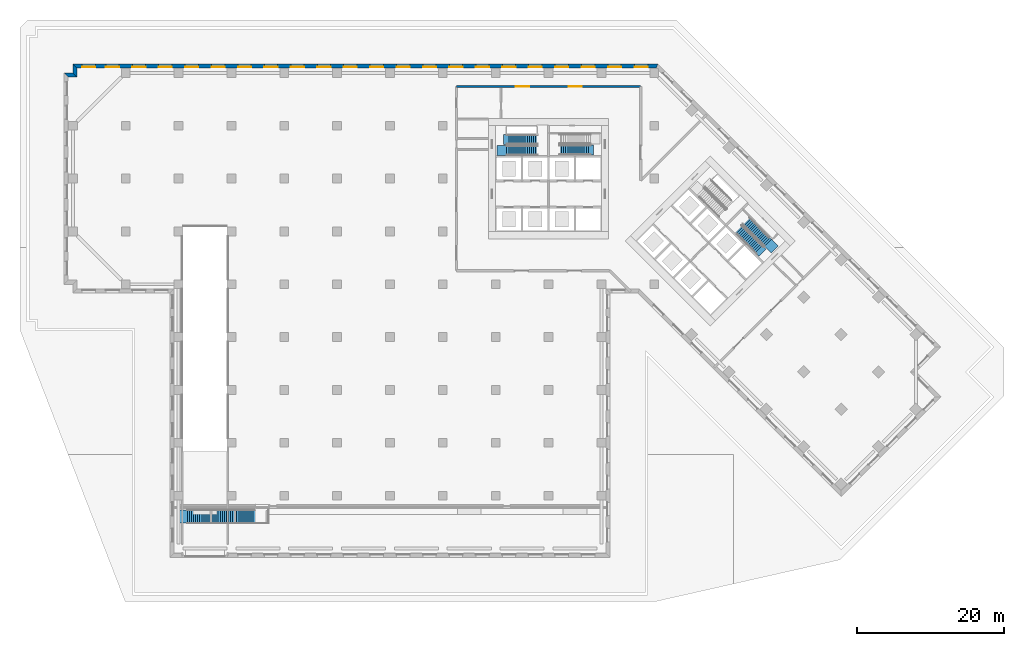
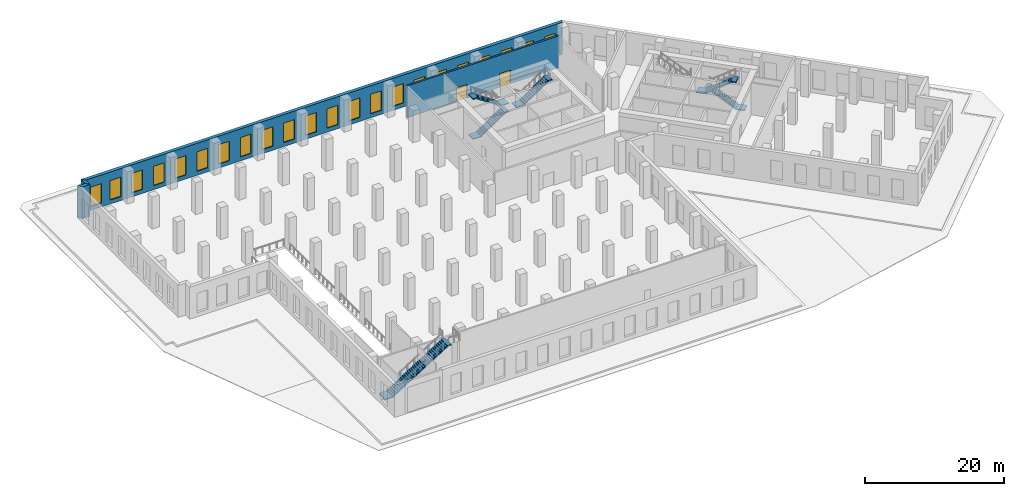
# One storey, part 9 of 15: 22 windows, 6 stair flights, 4 walls, 2 doors, 24 openings, 4 elements without a shape of their own.
"""IFC4 building model written with IfcOpenShell, lengths in metres."""

from ifc_helpers import new_model, si_unit, direction, frame, frame_2d, origin, place, context, subcontext, project, spatial, polyline, rectangle, outline, extrude, material, layer, layer_set, type_object, element, fill, aggregate, save


model = new_model("IFC4")

# Units and contexts
model_context = context("Model", 3, precision=1e-05, world=origin(), true_north=direction((0.0, 1.0)))
body_context = subcontext(model_context, "Body", "Model", "MODEL_VIEW")
ifc_project = project(units=[si_unit("LENGTHUNIT", "METRE"), si_unit("AREAUNIT", "SQUARE_METRE"), si_unit("VOLUMEUNIT", "CUBIC_METRE"), si_unit("PLANEANGLEUNIT", "RADIAN"), si_unit("MASSUNIT", "GRAM", prefix="KILO")], contexts=[model_context])

# Site, building, storey
site_placement = place(None, origin())
site = spatial("IfcSite", under=ifc_project, at=site_placement, CompositionType="ELEMENT")
building_placement = place(site_placement, origin())
building = spatial("IfcBuilding", under=site, at=building_placement, Name="Windrow Commons", CompositionType="ELEMENT")
storey_placement = place(building_placement, origin())
storey = spatial("IfcBuildingStorey", under=building, at=storey_placement, Name="L00", CompositionType="ELEMENT", Elevation=0.0)

# Wall, openings, windows
ifc_material_1 = material(Name="Brick masonry, red clay brick", Category="masonry")
ifc_layer_1 = layer(ifc_material_1, 0.55)
ifc_layer_set_1 = layer_set([ifc_layer_1], Name="Brick facade wall 550")
wall_type_1 = type_object("IfcWallType", Name="Brick facade wall 550", PredefinedType="SOLIDWALL", material=ifc_layer_set_1)
wall_1_placement = place(storey_placement, frame((79.5832, 72.925, 0.0), z_axis=(0.0, 0.0, 1.0), x_axis=(-1.0, 0.0, 0.0)))
wall_1 = element("IfcWall", 1, at=wall_1_placement, inside=storey, type_object=wall_type_1, Name="Brick facade wall L00 5", PredefinedType="SOLIDWALL", context=body_context, shape_type="SweptSolid", body=[
    extrude(outline(polyline([(-0.1139, -0.275), (79.5832, -0.275), (79.0332, 0.275), (0.1139, 0.275), (-0.1139, -0.275)])), origin(), (0.0, 0.0, 1.0), 5.6),
])
opening_1_placement = place(wall_1_placement, frame((1.2486, 0.0, 0.7)))
opening_1 = element("IfcOpeningElement", 2, at=opening_1_placement, cuts=wall_1, Name="Opening W3", PredefinedType="OPENING", context=body_context, shape_type="SweptSolid", body=[
    extrude(rectangle(XDim=1.8, YDim=3.4, at=frame_2d((0.9, 1.7))), frame((0.0, 0.285, 0.0), z_axis=(0.0, -1.0, 0.0), x_axis=(1.0, 0.0, 0.0)), (0.0, 0.0, 1.0), 0.57),
])
opening_2_placement = place(wall_1_placement, frame((4.8832, 0.0, 0.7)))
opening_2 = element("IfcOpeningElement", 3, at=opening_2_placement, cuts=wall_1, Name="Opening W3", PredefinedType="OPENING", context=body_context, shape_type="SweptSolid", body=[
    extrude(rectangle(XDim=1.8, YDim=3.4, at=frame_2d((0.9, 1.7))), frame((0.0, 0.285, 0.0), z_axis=(0.0, -1.0, 0.0), x_axis=(1.0, 0.0, 0.0)), (0.0, 0.0, 1.0), 0.57),
])
opening_3_placement = place(wall_1_placement, frame((8.4832, 0.0, 0.7)))
opening_3 = element("IfcOpeningElement", 4, at=opening_3_placement, cuts=wall_1, Name="Opening W3", PredefinedType="OPENING", context=body_context, shape_type="SweptSolid", body=[
    extrude(rectangle(XDim=1.8, YDim=3.4, at=frame_2d((0.9, 1.7))), frame((0.0, 0.285, 0.0), z_axis=(0.0, -1.0, 0.0), x_axis=(1.0, 0.0, 0.0)), (0.0, 0.0, 1.0), 0.57),
])
opening_4_placement = place(wall_1_placement, frame((12.0832, 0.0, 0.7)))
opening_4 = element("IfcOpeningElement", 5, at=opening_4_placement, cuts=wall_1, Name="Opening W3", PredefinedType="OPENING", context=body_context, shape_type="SweptSolid", body=[
    extrude(rectangle(XDim=1.8, YDim=3.4, at=frame_2d((0.9, 1.7))), frame((0.0, 0.285, 0.0), z_axis=(0.0, -1.0, 0.0), x_axis=(1.0, 0.0, 0.0)), (0.0, 0.0, 1.0), 0.57),
])
opening_5_placement = place(wall_1_placement, frame((15.6832, 0.0, 0.7)))
opening_5 = element("IfcOpeningElement", 6, at=opening_5_placement, cuts=wall_1, Name="Opening W3", PredefinedType="OPENING", context=body_context, shape_type="SweptSolid", body=[
    extrude(rectangle(XDim=1.8, YDim=3.4, at=frame_2d((0.9, 1.7))), frame((0.0, 0.285, 0.0), z_axis=(0.0, -1.0, 0.0), x_axis=(1.0, 0.0, 0.0)), (0.0, 0.0, 1.0), 0.57),
])
opening_6_placement = place(wall_1_placement, frame((19.2832, 0.0, 0.7)))
opening_6 = element("IfcOpeningElement", 7, at=opening_6_placement, cuts=wall_1, Name="Opening W3", PredefinedType="OPENING", context=body_context, shape_type="SweptSolid", body=[
    extrude(rectangle(XDim=1.8, YDim=3.4, at=frame_2d((0.9, 1.7))), frame((0.0, 0.285, 0.0), z_axis=(0.0, -1.0, 0.0), x_axis=(1.0, 0.0, 0.0)), (0.0, 0.0, 1.0), 0.57),
])
opening_7_placement = place(wall_1_placement, frame((22.8832, 0.0, 0.7)))
opening_7 = element("IfcOpeningElement", 8, at=opening_7_placement, cuts=wall_1, Name="Opening W3", PredefinedType="OPENING", context=body_context, shape_type="SweptSolid", body=[
    extrude(rectangle(XDim=1.8, YDim=3.4, at=frame_2d((0.9, 1.7))), frame((0.0, 0.285, 0.0), z_axis=(0.0, -1.0, 0.0), x_axis=(1.0, 0.0, 0.0)), (0.0, 0.0, 1.0), 0.57),
])
opening_8_placement = place(wall_1_placement, frame((26.4832, 0.0, 0.7)))
opening_8 = element("IfcOpeningElement", 9, at=opening_8_placement, cuts=wall_1, Name="Opening W3", PredefinedType="OPENING", context=body_context, shape_type="SweptSolid", body=[
    extrude(rectangle(XDim=1.8, YDim=3.4, at=frame_2d((0.9, 1.7))), frame((0.0, 0.285, 0.0), z_axis=(0.0, -1.0, 0.0), x_axis=(1.0, 0.0, 0.0)), (0.0, 0.0, 1.0), 0.57),
])
opening_9_placement = place(wall_1_placement, frame((30.0832, 0.0, 0.7)))
opening_9 = element("IfcOpeningElement", 10, at=opening_9_placement, cuts=wall_1, Name="Opening W3", PredefinedType="OPENING", context=body_context, shape_type="SweptSolid", body=[
    extrude(rectangle(XDim=1.8, YDim=3.4, at=frame_2d((0.9, 1.7))), frame((0.0, 0.285, 0.0), z_axis=(0.0, -1.0, 0.0), x_axis=(1.0, 0.0, 0.0)), (0.0, 0.0, 1.0), 0.57),
])
opening_10_placement = place(wall_1_placement, frame((33.6832, 0.0, 0.7)))
opening_10 = element("IfcOpeningElement", 11, at=opening_10_placement, cuts=wall_1, Name="Opening W3", PredefinedType="OPENING", context=body_context, shape_type="SweptSolid", body=[
    extrude(rectangle(XDim=1.8, YDim=3.4, at=frame_2d((0.9, 1.7))), frame((0.0, 0.285, 0.0), z_axis=(0.0, -1.0, 0.0), x_axis=(1.0, 0.0, 0.0)), (0.0, 0.0, 1.0), 0.57),
])
opening_11_placement = place(wall_1_placement, frame((37.2832, 0.0, 0.7)))
opening_11 = element("IfcOpeningElement", 12, at=opening_11_placement, cuts=wall_1, Name="Opening W3", PredefinedType="OPENING", context=body_context, shape_type="SweptSolid", body=[
    extrude(rectangle(XDim=1.8, YDim=3.4, at=frame_2d((0.9, 1.7))), frame((0.0, 0.285, 0.0), z_axis=(0.0, -1.0, 0.0), x_axis=(1.0, 0.0, 0.0)), (0.0, 0.0, 1.0), 0.57),
])
opening_12_placement = place(wall_1_placement, frame((40.8832, 0.0, 0.7)))
opening_12 = element("IfcOpeningElement", 13, at=opening_12_placement, cuts=wall_1, Name="Opening W3", PredefinedType="OPENING", context=body_context, shape_type="SweptSolid", body=[
    extrude(rectangle(XDim=1.8, YDim=3.4, at=frame_2d((0.9, 1.7))), frame((0.0, 0.285, 0.0), z_axis=(0.0, -1.0, 0.0), x_axis=(1.0, 0.0, 0.0)), (0.0, 0.0, 1.0), 0.57),
])
opening_13_placement = place(wall_1_placement, frame((44.4832, 0.0, 0.7)))
opening_13 = element("IfcOpeningElement", 14, at=opening_13_placement, cuts=wall_1, Name="Opening W3", PredefinedType="OPENING", context=body_context, shape_type="SweptSolid", body=[
    extrude(rectangle(XDim=1.8, YDim=3.4, at=frame_2d((0.9, 1.7))), frame((0.0, 0.285, 0.0), z_axis=(0.0, -1.0, 0.0), x_axis=(1.0, 0.0, 0.0)), (0.0, 0.0, 1.0), 0.57),
])
opening_14_placement = place(wall_1_placement, frame((48.0832, 0.0, 0.7)))
opening_14 = element("IfcOpeningElement", 15, at=opening_14_placement, cuts=wall_1, Name="Opening W3", PredefinedType="OPENING", context=body_context, shape_type="SweptSolid", body=[
    extrude(rectangle(XDim=1.8, YDim=3.4, at=frame_2d((0.9, 1.7))), frame((0.0, 0.285, 0.0), z_axis=(0.0, -1.0, 0.0), x_axis=(1.0, 0.0, 0.0)), (0.0, 0.0, 1.0), 0.57),
])
opening_15_placement = place(wall_1_placement, frame((51.6832, 0.0, 0.7)))
opening_15 = element("IfcOpeningElement", 16, at=opening_15_placement, cuts=wall_1, Name="Opening W3", PredefinedType="OPENING", context=body_context, shape_type="SweptSolid", body=[
    extrude(rectangle(XDim=1.8, YDim=3.4, at=frame_2d((0.9, 1.7))), frame((0.0, 0.285, 0.0), z_axis=(0.0, -1.0, 0.0), x_axis=(1.0, 0.0, 0.0)), (0.0, 0.0, 1.0), 0.57),
])
opening_16_placement = place(wall_1_placement, frame((55.2832, 0.0, 0.7)))
opening_16 = element("IfcOpeningElement", 17, at=opening_16_placement, cuts=wall_1, Name="Opening W3", PredefinedType="OPENING", context=body_context, shape_type="SweptSolid", body=[
    extrude(rectangle(XDim=1.8, YDim=3.4, at=frame_2d((0.9, 1.7))), frame((0.0, 0.285, 0.0), z_axis=(0.0, -1.0, 0.0), x_axis=(1.0, 0.0, 0.0)), (0.0, 0.0, 1.0), 0.57),
])
opening_17_placement = place(wall_1_placement, frame((58.8832, 0.0, 0.7)))
opening_17 = element("IfcOpeningElement", 18, at=opening_17_placement, cuts=wall_1, Name="Opening W3", PredefinedType="OPENING", context=body_context, shape_type="SweptSolid", body=[
    extrude(rectangle(XDim=1.8, YDim=3.4, at=frame_2d((0.9, 1.7))), frame((0.0, 0.285, 0.0), z_axis=(0.0, -1.0, 0.0), x_axis=(1.0, 0.0, 0.0)), (0.0, 0.0, 1.0), 0.57),
])
opening_18_placement = place(wall_1_placement, frame((62.4832, 0.0, 0.7)))
opening_18 = element("IfcOpeningElement", 19, at=opening_18_placement, cuts=wall_1, Name="Opening W3", PredefinedType="OPENING", context=body_context, shape_type="SweptSolid", body=[
    extrude(rectangle(XDim=1.8, YDim=3.4, at=frame_2d((0.9, 1.7))), frame((0.0, 0.285, 0.0), z_axis=(0.0, -1.0, 0.0), x_axis=(1.0, 0.0, 0.0)), (0.0, 0.0, 1.0), 0.57),
])
opening_19_placement = place(wall_1_placement, frame((66.0832, 0.0, 0.7)))
opening_19 = element("IfcOpeningElement", 20, at=opening_19_placement, cuts=wall_1, Name="Opening W3", PredefinedType="OPENING", context=body_context, shape_type="SweptSolid", body=[
    extrude(rectangle(XDim=1.8, YDim=3.4, at=frame_2d((0.9, 1.7))), frame((0.0, 0.285, 0.0), z_axis=(0.0, -1.0, 0.0), x_axis=(1.0, 0.0, 0.0)), (0.0, 0.0, 1.0), 0.57),
])
opening_20_placement = place(wall_1_placement, frame((69.6832, 0.0, 0.7)))
opening_20 = element("IfcOpeningElement", 21, at=opening_20_placement, cuts=wall_1, Name="Opening W3", PredefinedType="OPENING", context=body_context, shape_type="SweptSolid", body=[
    extrude(rectangle(XDim=1.8, YDim=3.4, at=frame_2d((0.9, 1.7))), frame((0.0, 0.285, 0.0), z_axis=(0.0, -1.0, 0.0), x_axis=(1.0, 0.0, 0.0)), (0.0, 0.0, 1.0), 0.57),
])
opening_21_placement = place(wall_1_placement, frame((73.2832, 0.0, 0.7)))
opening_21 = element("IfcOpeningElement", 22, at=opening_21_placement, cuts=wall_1, Name="Opening W3", PredefinedType="OPENING", context=body_context, shape_type="SweptSolid", body=[
    extrude(rectangle(XDim=1.8, YDim=3.4, at=frame_2d((0.9, 1.7))), frame((0.0, 0.285, 0.0), z_axis=(0.0, -1.0, 0.0), x_axis=(1.0, 0.0, 0.0)), (0.0, 0.0, 1.0), 0.57),
])
opening_22_placement = place(wall_1_placement, frame((76.5082, 0.0, 0.7)))
opening_22 = element("IfcOpeningElement", 23, at=opening_22_placement, cuts=wall_1, Name="Opening W3", PredefinedType="OPENING", context=body_context, shape_type="SweptSolid", body=[
    extrude(rectangle(XDim=1.8, YDim=3.4, at=frame_2d((0.9, 1.7))), frame((0.0, 0.285, 0.0), z_axis=(0.0, -1.0, 0.0), x_axis=(1.0, 0.0, 0.0)), (0.0, 0.0, 1.0), 0.57),
])
ifc_material_2 = material(Name="Clear float glass in anodised aluminium frame", Category="aluminium")
window_type = type_object("IfcWindowType", Name="Window W3 shopfront 1800x3400", PartitioningType="SINGLE_PANEL", PredefinedType="WINDOW", material=ifc_material_2)
window_1_placement = place(opening_1_placement, origin())
window_1 = element("IfcWindow", 24, at=window_1_placement, inside=storey, type_object=window_type, Name="Window L00 5.1", OverallHeight=3.4, OverallWidth=1.8, PartitioningType="SINGLE_PANEL", PredefinedType="WINDOW", context=body_context, shape_type="SweptSolid", body=[
    extrude(rectangle(XDim=1.8, YDim=3.4, at=frame_2d((0.9, 1.7))), frame((0.0, 0.155, 0.0), z_axis=(0.0, -1.0, 0.0), x_axis=(1.0, 0.0, 0.0)), (0.0, 0.0, 1.0), 0.06),
])
fill(opening_1, window_1)
window_2_placement = place(opening_2_placement, origin())
window_2 = element("IfcWindow", 25, at=window_2_placement, inside=storey, type_object=window_type, Name="Window L00 5.2", OverallHeight=3.4, OverallWidth=1.8, PartitioningType="SINGLE_PANEL", PredefinedType="WINDOW", context=body_context, shape_type="SweptSolid", body=[
    extrude(rectangle(XDim=1.8, YDim=3.4, at=frame_2d((0.9, 1.7))), frame((0.0, 0.155, 0.0), z_axis=(0.0, -1.0, 0.0), x_axis=(1.0, 0.0, 0.0)), (0.0, 0.0, 1.0), 0.06),
])
fill(opening_2, window_2)
window_3_placement = place(opening_3_placement, origin())
window_3 = element("IfcWindow", 26, at=window_3_placement, inside=storey, type_object=window_type, Name="Window L00 5.3", OverallHeight=3.4, OverallWidth=1.8, PartitioningType="SINGLE_PANEL", PredefinedType="WINDOW", context=body_context, shape_type="SweptSolid", body=[
    extrude(rectangle(XDim=1.8, YDim=3.4, at=frame_2d((0.9, 1.7))), frame((0.0, 0.155, 0.0), z_axis=(0.0, -1.0, 0.0), x_axis=(1.0, 0.0, 0.0)), (0.0, 0.0, 1.0), 0.06),
])
fill(opening_3, window_3)
window_4_placement = place(opening_4_placement, origin())
window_4 = element("IfcWindow", 27, at=window_4_placement, inside=storey, type_object=window_type, Name="Window L00 5.4", OverallHeight=3.4, OverallWidth=1.8, PartitioningType="SINGLE_PANEL", PredefinedType="WINDOW", context=body_context, shape_type="SweptSolid", body=[
    extrude(rectangle(XDim=1.8, YDim=3.4, at=frame_2d((0.9, 1.7))), frame((0.0, 0.155, 0.0), z_axis=(0.0, -1.0, 0.0), x_axis=(1.0, 0.0, 0.0)), (0.0, 0.0, 1.0), 0.06),
])
fill(opening_4, window_4)
window_5_placement = place(opening_5_placement, origin())
window_5 = element("IfcWindow", 28, at=window_5_placement, inside=storey, type_object=window_type, Name="Window L00 5.5", OverallHeight=3.4, OverallWidth=1.8, PartitioningType="SINGLE_PANEL", PredefinedType="WINDOW", context=body_context, shape_type="SweptSolid", body=[
    extrude(rectangle(XDim=1.8, YDim=3.4, at=frame_2d((0.9, 1.7))), frame((0.0, 0.155, 0.0), z_axis=(0.0, -1.0, 0.0), x_axis=(1.0, 0.0, 0.0)), (0.0, 0.0, 1.0), 0.06),
])
fill(opening_5, window_5)
window_6_placement = place(opening_6_placement, origin())
window_6 = element("IfcWindow", 29, at=window_6_placement, inside=storey, type_object=window_type, Name="Window L00 5.6", OverallHeight=3.4, OverallWidth=1.8, PartitioningType="SINGLE_PANEL", PredefinedType="WINDOW", context=body_context, shape_type="SweptSolid", body=[
    extrude(rectangle(XDim=1.8, YDim=3.4, at=frame_2d((0.9, 1.7))), frame((0.0, 0.155, 0.0), z_axis=(0.0, -1.0, 0.0), x_axis=(1.0, 0.0, 0.0)), (0.0, 0.0, 1.0), 0.06),
])
fill(opening_6, window_6)
window_7_placement = place(opening_7_placement, origin())
window_7 = element("IfcWindow", 30, at=window_7_placement, inside=storey, type_object=window_type, Name="Window L00 5.7", OverallHeight=3.4, OverallWidth=1.8, PartitioningType="SINGLE_PANEL", PredefinedType="WINDOW", context=body_context, shape_type="SweptSolid", body=[
    extrude(rectangle(XDim=1.8, YDim=3.4, at=frame_2d((0.9, 1.7))), frame((0.0, 0.155, 0.0), z_axis=(0.0, -1.0, 0.0), x_axis=(1.0, 0.0, 0.0)), (0.0, 0.0, 1.0), 0.06),
])
fill(opening_7, window_7)
window_8_placement = place(opening_8_placement, origin())
window_8 = element("IfcWindow", 31, at=window_8_placement, inside=storey, type_object=window_type, Name="Window L00 5.8", OverallHeight=3.4, OverallWidth=1.8, PartitioningType="SINGLE_PANEL", PredefinedType="WINDOW", context=body_context, shape_type="SweptSolid", body=[
    extrude(rectangle(XDim=1.8, YDim=3.4, at=frame_2d((0.9, 1.7))), frame((0.0, 0.155, 0.0), z_axis=(0.0, -1.0, 0.0), x_axis=(1.0, 0.0, 0.0)), (0.0, 0.0, 1.0), 0.06),
])
fill(opening_8, window_8)
window_9_placement = place(opening_9_placement, origin())
window_9 = element("IfcWindow", 32, at=window_9_placement, inside=storey, type_object=window_type, Name="Window L00 5.9", OverallHeight=3.4, OverallWidth=1.8, PartitioningType="SINGLE_PANEL", PredefinedType="WINDOW", context=body_context, shape_type="SweptSolid", body=[
    extrude(rectangle(XDim=1.8, YDim=3.4, at=frame_2d((0.9, 1.7))), frame((0.0, 0.155, 0.0), z_axis=(0.0, -1.0, 0.0), x_axis=(1.0, 0.0, 0.0)), (0.0, 0.0, 1.0), 0.06),
])
fill(opening_9, window_9)
window_10_placement = place(opening_10_placement, origin())
window_10 = element("IfcWindow", 33, at=window_10_placement, inside=storey, type_object=window_type, Name="Window L00 5.10", OverallHeight=3.4, OverallWidth=1.8, PartitioningType="SINGLE_PANEL", PredefinedType="WINDOW", context=body_context, shape_type="SweptSolid", body=[
    extrude(rectangle(XDim=1.8, YDim=3.4, at=frame_2d((0.9, 1.7))), frame((0.0, 0.155, 0.0), z_axis=(0.0, -1.0, 0.0), x_axis=(1.0, 0.0, 0.0)), (0.0, 0.0, 1.0), 0.06),
])
fill(opening_10, window_10)
window_11_placement = place(opening_11_placement, origin())
window_11 = element("IfcWindow", 34, at=window_11_placement, inside=storey, type_object=window_type, Name="Window L00 5.11", OverallHeight=3.4, OverallWidth=1.8, PartitioningType="SINGLE_PANEL", PredefinedType="WINDOW", context=body_context, shape_type="SweptSolid", body=[
    extrude(rectangle(XDim=1.8, YDim=3.4, at=frame_2d((0.9, 1.7))), frame((0.0, 0.155, 0.0), z_axis=(0.0, -1.0, 0.0), x_axis=(1.0, 0.0, 0.0)), (0.0, 0.0, 1.0), 0.06),
])
fill(opening_11, window_11)
window_12_placement = place(opening_12_placement, origin())
window_12 = element("IfcWindow", 35, at=window_12_placement, inside=storey, type_object=window_type, Name="Window L00 5.12", OverallHeight=3.4, OverallWidth=1.8, PartitioningType="SINGLE_PANEL", PredefinedType="WINDOW", context=body_context, shape_type="SweptSolid", body=[
    extrude(rectangle(XDim=1.8, YDim=3.4, at=frame_2d((0.9, 1.7))), frame((0.0, 0.155, 0.0), z_axis=(0.0, -1.0, 0.0), x_axis=(1.0, 0.0, 0.0)), (0.0, 0.0, 1.0), 0.06),
])
fill(opening_12, window_12)
window_13_placement = place(opening_13_placement, origin())
window_13 = element("IfcWindow", 36, at=window_13_placement, inside=storey, type_object=window_type, Name="Window L00 5.13", OverallHeight=3.4, OverallWidth=1.8, PartitioningType="SINGLE_PANEL", PredefinedType="WINDOW", context=body_context, shape_type="SweptSolid", body=[
    extrude(rectangle(XDim=1.8, YDim=3.4, at=frame_2d((0.9, 1.7))), frame((0.0, 0.155, 0.0), z_axis=(0.0, -1.0, 0.0), x_axis=(1.0, 0.0, 0.0)), (0.0, 0.0, 1.0), 0.06),
])
fill(opening_13, window_13)
window_14_placement = place(opening_14_placement, origin())
window_14 = element("IfcWindow", 37, at=window_14_placement, inside=storey, type_object=window_type, Name="Window L00 5.14", OverallHeight=3.4, OverallWidth=1.8, PartitioningType="SINGLE_PANEL", PredefinedType="WINDOW", context=body_context, shape_type="SweptSolid", body=[
    extrude(rectangle(XDim=1.8, YDim=3.4, at=frame_2d((0.9, 1.7))), frame((0.0, 0.155, 0.0), z_axis=(0.0, -1.0, 0.0), x_axis=(1.0, 0.0, 0.0)), (0.0, 0.0, 1.0), 0.06),
])
fill(opening_14, window_14)
window_15_placement = place(opening_15_placement, origin())
window_15 = element("IfcWindow", 38, at=window_15_placement, inside=storey, type_object=window_type, Name="Window L00 5.15", OverallHeight=3.4, OverallWidth=1.8, PartitioningType="SINGLE_PANEL", PredefinedType="WINDOW", context=body_context, shape_type="SweptSolid", body=[
    extrude(rectangle(XDim=1.8, YDim=3.4, at=frame_2d((0.9, 1.7))), frame((0.0, 0.155, 0.0), z_axis=(0.0, -1.0, 0.0), x_axis=(1.0, 0.0, 0.0)), (0.0, 0.0, 1.0), 0.06),
])
fill(opening_15, window_15)
window_16_placement = place(opening_16_placement, origin())
window_16 = element("IfcWindow", 39, at=window_16_placement, inside=storey, type_object=window_type, Name="Window L00 5.16", OverallHeight=3.4, OverallWidth=1.8, PartitioningType="SINGLE_PANEL", PredefinedType="WINDOW", context=body_context, shape_type="SweptSolid", body=[
    extrude(rectangle(XDim=1.8, YDim=3.4, at=frame_2d((0.9, 1.7))), frame((0.0, 0.155, 0.0), z_axis=(0.0, -1.0, 0.0), x_axis=(1.0, 0.0, 0.0)), (0.0, 0.0, 1.0), 0.06),
])
fill(opening_16, window_16)
window_17_placement = place(opening_17_placement, origin())
window_17 = element("IfcWindow", 40, at=window_17_placement, inside=storey, type_object=window_type, Name="Window L00 5.17", OverallHeight=3.4, OverallWidth=1.8, PartitioningType="SINGLE_PANEL", PredefinedType="WINDOW", context=body_context, shape_type="SweptSolid", body=[
    extrude(rectangle(XDim=1.8, YDim=3.4, at=frame_2d((0.9, 1.7))), frame((0.0, 0.155, 0.0), z_axis=(0.0, -1.0, 0.0), x_axis=(1.0, 0.0, 0.0)), (0.0, 0.0, 1.0), 0.06),
])
fill(opening_17, window_17)
window_18_placement = place(opening_18_placement, origin())
window_18 = element("IfcWindow", 41, at=window_18_placement, inside=storey, type_object=window_type, Name="Window L00 5.18", OverallHeight=3.4, OverallWidth=1.8, PartitioningType="SINGLE_PANEL", PredefinedType="WINDOW", context=body_context, shape_type="SweptSolid", body=[
    extrude(rectangle(XDim=1.8, YDim=3.4, at=frame_2d((0.9, 1.7))), frame((0.0, 0.155, 0.0), z_axis=(0.0, -1.0, 0.0), x_axis=(1.0, 0.0, 0.0)), (0.0, 0.0, 1.0), 0.06),
])
fill(opening_18, window_18)
window_19_placement = place(opening_19_placement, origin())
window_19 = element("IfcWindow", 42, at=window_19_placement, inside=storey, type_object=window_type, Name="Window L00 5.19", OverallHeight=3.4, OverallWidth=1.8, PartitioningType="SINGLE_PANEL", PredefinedType="WINDOW", context=body_context, shape_type="SweptSolid", body=[
    extrude(rectangle(XDim=1.8, YDim=3.4, at=frame_2d((0.9, 1.7))), frame((0.0, 0.155, 0.0), z_axis=(0.0, -1.0, 0.0), x_axis=(1.0, 0.0, 0.0)), (0.0, 0.0, 1.0), 0.06),
])
fill(opening_19, window_19)
window_20_placement = place(opening_20_placement, origin())
window_20 = element("IfcWindow", 43, at=window_20_placement, inside=storey, type_object=window_type, Name="Window L00 5.20", OverallHeight=3.4, OverallWidth=1.8, PartitioningType="SINGLE_PANEL", PredefinedType="WINDOW", context=body_context, shape_type="SweptSolid", body=[
    extrude(rectangle(XDim=1.8, YDim=3.4, at=frame_2d((0.9, 1.7))), frame((0.0, 0.155, 0.0), z_axis=(0.0, -1.0, 0.0), x_axis=(1.0, 0.0, 0.0)), (0.0, 0.0, 1.0), 0.06),
])
fill(opening_20, window_20)
window_21_placement = place(opening_21_placement, origin())
window_21 = element("IfcWindow", 44, at=window_21_placement, inside=storey, type_object=window_type, Name="Window L00 5.21", OverallHeight=3.4, OverallWidth=1.8, PartitioningType="SINGLE_PANEL", PredefinedType="WINDOW", context=body_context, shape_type="SweptSolid", body=[
    extrude(rectangle(XDim=1.8, YDim=3.4, at=frame_2d((0.9, 1.7))), frame((0.0, 0.155, 0.0), z_axis=(0.0, -1.0, 0.0), x_axis=(1.0, 0.0, 0.0)), (0.0, 0.0, 1.0), 0.06),
])
fill(opening_21, window_21)
window_22_placement = place(opening_22_placement, origin())
window_22 = element("IfcWindow", 45, at=window_22_placement, inside=storey, type_object=window_type, Name="Window L00 5.22", OverallHeight=3.4, OverallWidth=1.8, PartitioningType="SINGLE_PANEL", PredefinedType="WINDOW", context=body_context, shape_type="SweptSolid", body=[
    extrude(rectangle(XDim=1.8, YDim=3.4, at=frame_2d((0.9, 1.7))), frame((0.0, 0.155, 0.0), z_axis=(0.0, -1.0, 0.0), x_axis=(1.0, 0.0, 0.0)), (0.0, 0.0, 1.0), 0.06),
])
fill(opening_22, window_22)

# Walls
wall_2_placement = place(storey_placement, frame((0.275, 72.925, 0.0), z_axis=(0.0, 0.0, 1.0), x_axis=(0.0, -1.0, 0.0)))
element("IfcWall", 46, at=wall_2_placement, inside=storey, type_object=wall_type_1, Name="Brick facade wall L00 6", PredefinedType="SOLIDWALL", context=body_context, shape_type="SweptSolid", body=[
    extrude(outline(polyline([(-0.275, -0.275), (0.925, -0.275), (1.475, 0.275), (0.275, 0.275), (-0.275, -0.275)])), origin(), (0.0, 0.0, 1.0), 5.6),
])
wall_3_placement = place(storey_placement, frame((0.275, 71.725, 0.0), z_axis=(0.0, 0.0, 1.0), x_axis=(-1.0, 0.0, 0.0)))
element("IfcWall", 47, at=wall_3_placement, inside=storey, type_object=wall_type_1, Name="Brick facade wall L00 7", PredefinedType="SOLIDWALL", context=body_context, shape_type="SweptSolid", body=[
    extrude(outline(polyline([(0.275, -0.275), (1.475, -0.275), (0.925, 0.275), (-0.275, 0.275), (0.275, -0.275)])), origin(), (0.0, 0.0, 1.0), 5.6),
])

# Wall, openings, doors
ifc_material_3 = material(Name="Blockwork partition", Category="masonry")
ifc_layer_2 = layer(ifc_material_3, 0.3)
ifc_layer_set_2 = layer_set([ifc_layer_2], Name="Entrance hall wall 300")
wall_type_2 = type_object("IfcWallType", Name="Entrance hall wall 300", PredefinedType="PARTITIONING", material=ifc_layer_set_2)
wall_4_placement = place(storey_placement, frame((52.25, 70.15, 0.0), z_axis=(0.0, 0.0, 1.0), x_axis=(1.0, 0.0, 0.0)))
wall_4 = element("IfcWall", 48, at=wall_4_placement, inside=storey, type_object=wall_type_2, Name="W-L00-ENT-01", PredefinedType="PARTITIONING", context=body_context, shape_type="SweptSolid", body=[
    extrude(rectangle(XDim=25.1, YDim=0.3, at=frame_2d((12.55, 0.0))), origin(), (0.0, 0.0, 1.0), 5.6),
])
opening_23_placement = place(wall_4_placement, frame((15.3, 0.0, 0.0)))
opening_23 = element("IfcOpeningElement", 49, at=opening_23_placement, cuts=wall_4, Name="Opening D20", PredefinedType="OPENING", context=body_context, shape_type="SweptSolid", body=[
    extrude(rectangle(XDim=1.8, YDim=2.4, at=frame_2d((0.9, 1.2))), frame((0.0, 0.16, 0.0), z_axis=(0.0, -1.0, 0.0), x_axis=(1.0, 0.0, 0.0)), (0.0, 0.0, 1.0), 0.32),
])
opening_24_placement = place(wall_4_placement, frame((8.1, 0.0, 0.0)))
opening_24 = element("IfcOpeningElement", 50, at=opening_24_placement, cuts=wall_4, Name="Opening D20", PredefinedType="OPENING", context=body_context, shape_type="SweptSolid", body=[
    extrude(rectangle(XDim=1.8, YDim=2.4, at=frame_2d((0.9, 1.2))), frame((0.0, 0.16, 0.0), z_axis=(0.0, -1.0, 0.0), x_axis=(1.0, 0.0, 0.0)), (0.0, 0.0, 1.0), 0.32),
])
ifc_material_4 = material(Name="Aluminium and glass door leaves", Category="aluminium")
door_type = type_object("IfcDoorType", Name="Entrance door double 1800x2400", OperationType="SINGLE_SWING_LEFT", PredefinedType="DOOR", material=ifc_material_4)
door_1_placement = place(opening_23_placement, origin())
door_1 = element("IfcDoor", 51, at=door_1_placement, inside=storey, type_object=door_type, Name="D-L00-EXIT-01", OperationType="DOUBLE_DOOR_SINGLE_SWING", OverallHeight=2.4, OverallWidth=1.8, PredefinedType="DOOR", context=body_context, shape_type="SweptSolid", body=[
    extrude(rectangle(XDim=1.8, YDim=2.4, at=frame_2d((0.9, 1.2))), frame((0.0, 0.025, 0.0), z_axis=(0.0, -1.0, 0.0), x_axis=(1.0, 0.0, 0.0)), (0.0, 0.0, 1.0), 0.05),
])
fill(opening_23, door_1)
door_2_placement = place(opening_24_placement, origin())
door_2 = element("IfcDoor", 52, at=door_2_placement, inside=storey, type_object=door_type, Name="D-L00-EXIT-02", OperationType="DOUBLE_DOOR_SINGLE_SWING", OverallHeight=2.4, OverallWidth=1.8, PredefinedType="DOOR", context=body_context, shape_type="SweptSolid", body=[
    extrude(rectangle(XDim=1.8, YDim=2.4, at=frame_2d((0.9, 1.2))), frame((0.0, 0.025, 0.0), z_axis=(0.0, -1.0, 0.0), x_axis=(1.0, 0.0, 0.0)), (0.0, 0.0, 1.0), 0.05),
])
fill(opening_24, door_2)

# Stair, stair flights
ifc_material_5 = material(Name="Concrete C40/50", Category="concrete")
stair_type_1 = type_object("IfcStairType", Name="Core stair", PredefinedType="HALF_TURN_STAIR", material=ifc_material_5)
placement = place(storey_placement, origin())
stair_1 = element("IfcStair", 53, at=placement, inside=storey, type_object=stair_type_1, Name="L00 Exit stair A1 core A", PredefinedType="HALF_TURN_STAIR")
ifc_material_6 = material(Name="Concrete C40/50", Category="concrete")
stair_flight_type_1 = type_object("IfcStairFlightType", Name="Core stair flight", PredefinedType="STRAIGHT", material=ifc_material_6)
stair_flight_1_placement = place(storey_placement, frame((59.1, 61.425, 0.0), z_axis=(0.0, 0.0, 1.0), x_axis=(1.0, 0.0, 0.0)))
stair_flight_1 = element("IfcStairFlight", 54, at=stair_flight_1_placement, type_object=stair_flight_type_1, Name="ST-A1 flight 1", NumberOfRisers=16, NumberOfTreads=15, PredefinedType="STRAIGHT", RiserHeight=0.1875, TreadLength=0.28, context=body_context, shape_type="SweptSolid", body=[
    extrude(outline(polyline([(-1.3, -0.15), (-1.3, 0.0), (0.0, 0.0), (0.0, 0.1875), (0.28, 0.1875), (0.28, 0.375), (0.56, 0.375), (0.56, 0.5625), (0.84, 0.5625), (0.84, 0.75), (1.12, 0.75), (1.12, 0.9375), (1.4, 0.9375), (1.4, 1.125), (1.68, 1.125), (1.68, 1.3125), (1.96, 1.3125), (1.96, 1.5), (2.24, 1.5), (2.24, 1.6875), (2.52, 1.6875), (2.52, 1.875), (2.8, 1.875), (2.8, 2.0625), (3.08, 2.0625), (3.08, 2.25), (3.36, 2.25), (3.36, 2.4375), (3.64, 2.4375), (3.64, 2.625), (3.92, 2.625), (3.92, 2.8125), (4.2, 2.8125), (4.65, 2.8125), (4.65, 2.6125), (4.2, 2.6125), (4.2, 2.632), (0.2696, 0.0), (0.2696, -0.15), (-1.3, -0.15)])), frame((0.0, 0.675, 0.0), z_axis=(0.0, -1.0, 0.0), x_axis=(1.0, 0.0, 0.0)), (0.0, 0.0, 1.0), 1.35),
])
stair_flight_2_placement = place(storey_placement, frame((63.3, 62.925, 3.0), z_axis=(0.0, 0.0, 1.0), x_axis=(-1.0, 0.0, 0.0)))
stair_flight_2 = element("IfcStairFlight", 55, at=stair_flight_2_placement, type_object=stair_flight_type_1, Name="ST-A1 flight 2", NumberOfRisers=16, NumberOfTreads=15, PredefinedType="STRAIGHT", RiserHeight=0.1875, TreadLength=0.28, context=body_context, shape_type="SweptSolid", body=[
    extrude(outline(polyline([(-1.3, -0.15), (-1.3, 0.0), (0.0, 0.0), (0.0, 0.1875), (0.28, 0.1875), (0.28, 0.375), (0.56, 0.375), (0.56, 0.5625), (0.84, 0.5625), (0.84, 0.75), (1.12, 0.75), (1.12, 0.9375), (1.4, 0.9375), (1.4, 1.125), (1.68, 1.125), (1.68, 1.3125), (1.96, 1.3125), (1.96, 1.5), (2.24, 1.5), (2.24, 1.6875), (2.52, 1.6875), (2.52, 1.875), (2.8, 1.875), (2.8, 2.0625), (3.08, 2.0625), (3.08, 2.25), (3.36, 2.25), (3.36, 2.4375), (3.64, 2.4375), (3.64, 2.625), (3.92, 2.625), (3.92, 2.8125), (4.2, 2.8125), (4.65, 2.8125), (4.65, 2.6125), (4.2, 2.6125), (4.2, 2.632), (0.2696, 0.0), (0.2696, -0.15), (-1.3, -0.15)])), frame((0.0, 0.675, 0.0), z_axis=(0.0, -1.0, 0.0), x_axis=(1.0, 0.0, 0.0)), (0.0, 0.0, 1.0), 1.35),
])
aggregate(stair_1, [stair_flight_1, stair_flight_2])

# Stair, stair flight
stair_2 = element("IfcStair", 56, at=placement, inside=storey, type_object=stair_type_1, Name="L00 Exit stair A2 core A", PredefinedType="HALF_TURN_STAIR")
stair_flight_3_placement = place(storey_placement, frame((66.3, 61.48, 3.0), z_axis=(0.0, 0.0, 1.0), x_axis=(1.0, 0.0, 0.0)))
stair_flight_3 = element("IfcStairFlight", 57, at=stair_flight_3_placement, type_object=stair_flight_type_1, Name="ST-A2 flight 2", NumberOfRisers=16, NumberOfTreads=15, PredefinedType="STRAIGHT", RiserHeight=0.1875, TreadLength=0.28, context=body_context, shape_type="SweptSolid", body=[
    extrude(outline(polyline([(-1.3, -0.15), (-1.3, 0.0), (0.0, 0.0), (0.0, 0.1875), (0.28, 0.1875), (0.28, 0.375), (0.56, 0.375), (0.56, 0.5625), (0.84, 0.5625), (0.84, 0.75), (1.12, 0.75), (1.12, 0.9375), (1.4, 0.9375), (1.4, 1.125), (1.68, 1.125), (1.68, 1.3125), (1.96, 1.3125), (1.96, 1.5), (2.24, 1.5), (2.24, 1.6875), (2.52, 1.6875), (2.52, 1.875), (2.8, 1.875), (2.8, 2.0625), (3.08, 2.0625), (3.08, 2.25), (3.36, 2.25), (3.36, 2.4375), (3.64, 2.4375), (3.64, 2.625), (3.92, 2.625), (3.92, 2.8125), (4.2, 2.8125), (4.65, 2.8125), (4.65, 2.6125), (4.2, 2.6125), (4.2, 2.632), (0.2696, 0.0), (0.2696, -0.15), (-1.3, -0.15)])), frame((0.0, 0.675, 0.0), z_axis=(0.0, -1.0, 0.0), x_axis=(1.0, 0.0, 0.0)), (0.0, 0.0, 1.0), 1.35),
])
aggregate(stair_2, [stair_flight_3])

# Stair, stair flights
stair_3 = element("IfcStair", 58, at=placement, inside=storey, type_object=stair_type_1, Name="L00 Exit stair B2 core B", PredefinedType="HALF_TURN_STAIR")
stair_flight_4_placement = place(storey_placement, frame((94.6715, 48.8635, 0.0), z_axis=(0.0, 0.0, 1.0), x_axis=(-0.7071067812, 0.7071067812, 0.0)))
stair_flight_4 = element("IfcStairFlight", 59, at=stair_flight_4_placement, type_object=stair_flight_type_1, Name="ST-B2 flight 1", NumberOfRisers=16, NumberOfTreads=15, PredefinedType="STRAIGHT", RiserHeight=0.1875, TreadLength=0.28, context=body_context, shape_type="SweptSolid", body=[
    extrude(outline(polyline([(-1.3, -0.15), (-1.3, 0.0), (0.0, 0.0), (0.0, 0.1875), (0.28, 0.1875), (0.28, 0.375), (0.56, 0.375), (0.56, 0.5625), (0.84, 0.5625), (0.84, 0.75), (1.12, 0.75), (1.12, 0.9375), (1.4, 0.9375), (1.4, 1.125), (1.68, 1.125), (1.68, 1.3125), (1.96, 1.3125), (1.96, 1.5), (2.24, 1.5), (2.24, 1.6875), (2.52, 1.6875), (2.52, 1.875), (2.8, 1.875), (2.8, 2.0625), (3.08, 2.0625), (3.08, 2.25), (3.36, 2.25), (3.36, 2.4375), (3.64, 2.4375), (3.64, 2.625), (3.92, 2.625), (3.92, 2.8125), (4.2, 2.8125), (4.65, 2.8125), (4.65, 2.6125), (4.2, 2.6125), (4.2, 2.632), (0.2696, 0.0), (0.2696, -0.15), (-1.3, -0.15)])), frame((0.0, 0.675, 0.0), z_axis=(0.0, -1.0, 0.0), x_axis=(1.0, 0.0, 0.0)), (0.0, 0.0, 1.0), 1.35),
])
stair_flight_5_placement = place(storey_placement, frame((90.641, 50.7727, 3.0), z_axis=(0.0, 0.0, 1.0), x_axis=(0.7071067812, -0.7071067812, 0.0)))
stair_flight_5 = element("IfcStairFlight", 60, at=stair_flight_5_placement, type_object=stair_flight_type_1, Name="ST-B2 flight 2", NumberOfRisers=16, NumberOfTreads=15, PredefinedType="STRAIGHT", RiserHeight=0.1875, TreadLength=0.28, context=body_context, shape_type="SweptSolid", body=[
    extrude(outline(polyline([(-1.3, -0.15), (-1.3, 0.0), (0.0, 0.0), (0.0, 0.1875), (0.28, 0.1875), (0.28, 0.375), (0.56, 0.375), (0.56, 0.5625), (0.84, 0.5625), (0.84, 0.75), (1.12, 0.75), (1.12, 0.9375), (1.4, 0.9375), (1.4, 1.125), (1.68, 1.125), (1.68, 1.3125), (1.96, 1.3125), (1.96, 1.5), (2.24, 1.5), (2.24, 1.6875), (2.52, 1.6875), (2.52, 1.875), (2.8, 1.875), (2.8, 2.0625), (3.08, 2.0625), (3.08, 2.25), (3.36, 2.25), (3.36, 2.4375), (3.64, 2.4375), (3.64, 2.625), (3.92, 2.625), (3.92, 2.8125), (4.2, 2.8125), (4.65, 2.8125), (4.65, 2.6125), (4.2, 2.6125), (4.2, 2.632), (0.2696, 0.0), (0.2696, -0.15), (-1.3, -0.15)])), frame((0.0, 0.675, 0.0), z_axis=(0.0, -1.0, 0.0), x_axis=(1.0, 0.0, 0.0)), (0.0, 0.0, 1.0), 1.35),
])
aggregate(stair_3, [stair_flight_4, stair_flight_5])

# Stair, stair flight
ifc_material_7 = material(Name="Concrete C40/50", Category="concrete")
stair_type_2 = type_object("IfcStairType", Name="Terrace public stair", PredefinedType="STRAIGHT_RUN_STAIR", material=ifc_material_7)
stair_4 = element("IfcStair", 61, at=placement, inside=storey, type_object=stair_type_2, Name="Public stair L00 to L01", PredefinedType="STRAIGHT_RUN_STAIR")
ifc_material_8 = material(Name="Concrete C40/50", Category="concrete")
stair_flight_type_2 = type_object("IfcStairFlightType", Name="Terrace public stair flight", PredefinedType="STRAIGHT", material=ifc_material_8)
stair_flight_6_placement = place(storey_placement, frame((15.6, 11.55, 0.0), z_axis=(0.0, 0.0, 1.0), x_axis=(1.0, 0.0, 0.0)))
stair_flight_6 = element("IfcStairFlight", 62, at=stair_flight_6_placement, type_object=stair_flight_type_2, Name="TST flight 1", NumberOfRisers=34, NumberOfTreads=33, PredefinedType="STRAIGHT", RiserHeight=0.176470588, TreadLength=0.28, context=body_context, shape_type="SweptSolid", body=[
    extrude(outline(polyline([(-1.3, -0.15), (-1.3, 0.0), (0.0, 0.0), (0.0, 0.1765), (0.28, 0.1765), (0.28, 0.3529), (0.56, 0.3529), (0.56, 0.5294), (0.84, 0.5294), (0.84, 0.7059), (1.12, 0.7059), (1.12, 0.8823), (1.4, 0.8823), (1.4, 1.0588), (1.68, 1.0588), (1.68, 1.2353), (1.96, 1.2353), (1.96, 1.4118), (2.24, 1.4118), (2.24, 1.5882), (2.52, 1.5882), (2.52, 1.7647), (2.8, 1.7647), (2.8, 1.9412), (3.08, 1.9412), (3.08, 2.1176), (3.36, 2.1176), (3.36, 2.2941), (3.64, 2.2941), (3.64, 2.4706), (3.92, 2.4706), (3.92, 2.6471), (4.2, 2.6471), (4.2, 2.8235), (4.48, 2.8235), (4.48, 3.0), (4.76, 3.0), (4.76, 3.1765), (5.04, 3.1765), (5.04, 3.3529), (5.32, 3.3529), (5.32, 3.5294), (5.6, 3.5294), (5.6, 3.7059), (5.88, 3.7059), (5.88, 3.8824), (6.16, 3.8824), (6.16, 4.0588), (6.44, 4.0588), (6.44, 4.2353), (6.72, 4.2353), (6.72, 4.4118), (7.0, 4.4118), (7.0, 4.5882), (7.28, 4.5882), (7.28, 4.7647), (7.56, 4.7647), (7.56, 4.9412), (7.84, 4.9412), (7.84, 5.1177), (8.12, 5.1177), (8.12, 5.2941), (8.4, 5.2941), (8.4, 5.4706), (8.68, 5.4706), (8.68, 5.6471), (8.96, 5.6471), (8.96, 5.8235), (9.24, 5.8235), (9.69, 5.8235), (9.69, 5.6235), (9.24, 5.6235), (9.24, 5.6462), (0.2813, 0.0), (0.2813, -0.15), (-1.3, -0.15)])), frame((0.0, 0.9, 0.0), z_axis=(0.0, -1.0, 0.0), x_axis=(1.0, 0.0, 0.0)), (0.0, 0.0, 1.0), 1.8),
])
aggregate(stair_4, [stair_flight_6])

save(model, "model.ifc")
